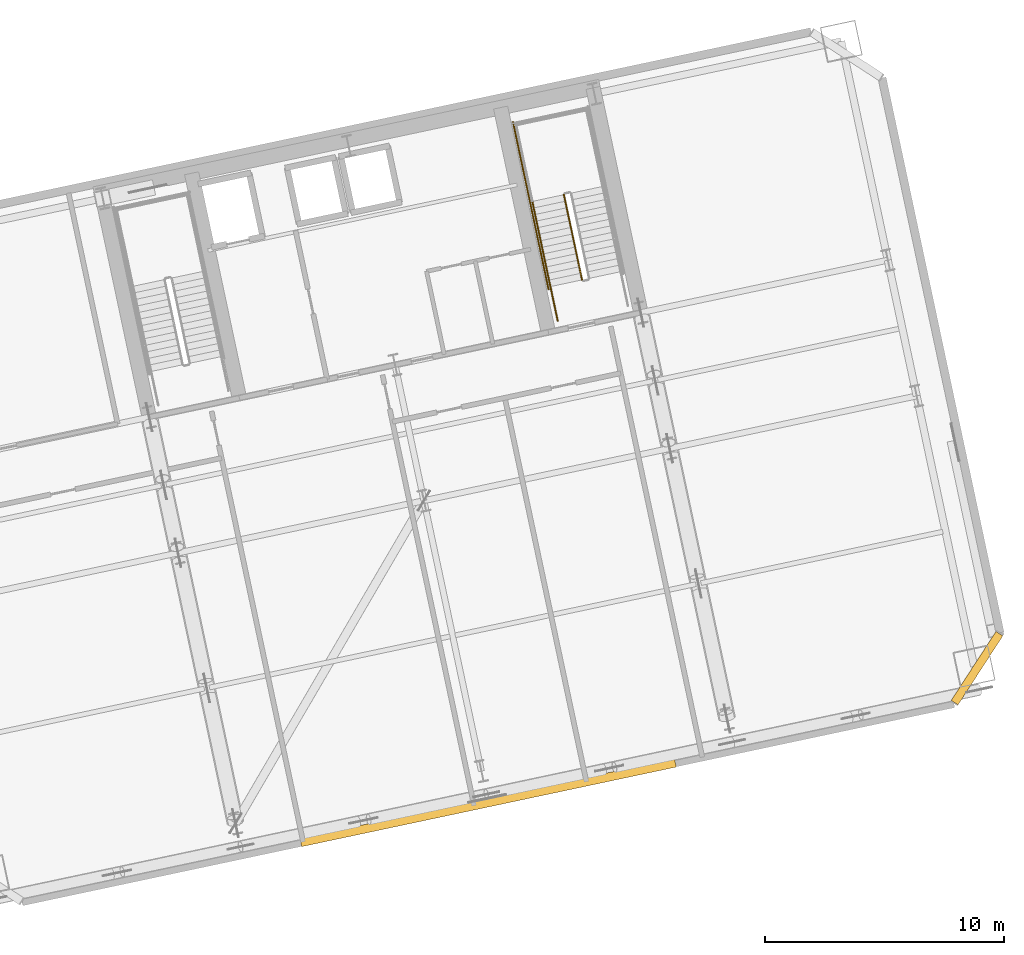
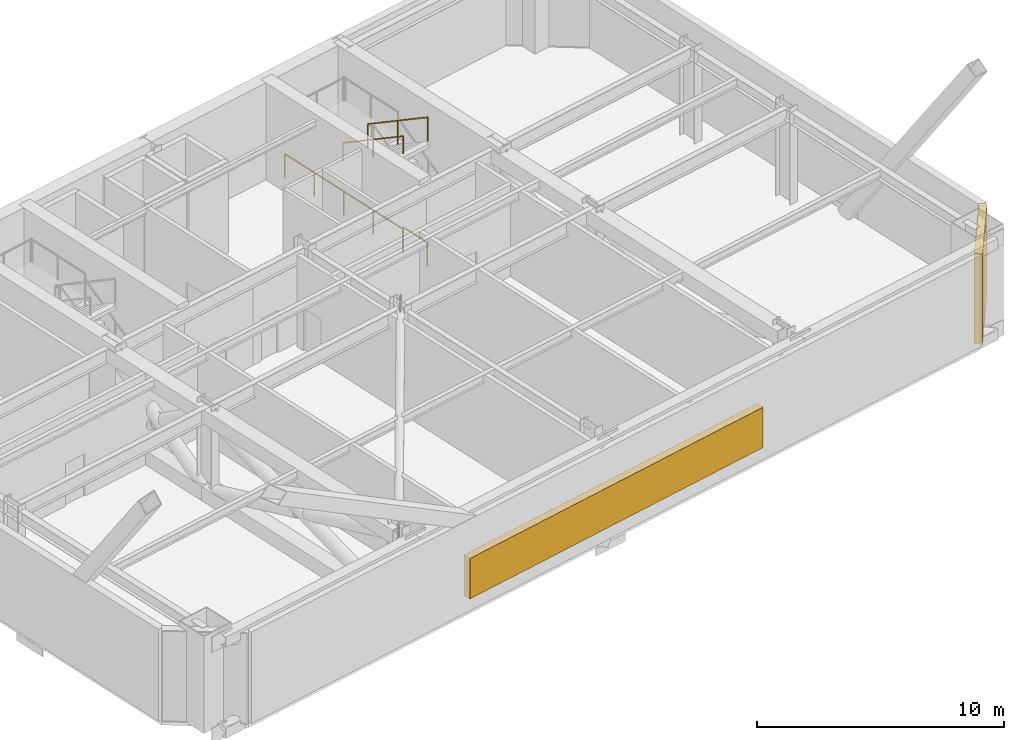
# One storey, part 16 of 17: 4 railings, 2 shading devices.
"""IFC4 building model written with IfcOpenShell, lengths in metres."""

from ifc_helpers import new_model, si_unit, direction, frame, origin, origin_2d, place, context, subcontext, project, spatial, rectangle, extrude, material, layer, layer_set, type_object, element, save


model = new_model("IFC4")

# Units and contexts
model_context = context("Model", 3, precision=1e-05, world=origin(), true_north=direction((0.0, 1.0)))
body_context = subcontext(model_context, "Body", "Model", "MODEL_VIEW")
ifc_project = project(units=[si_unit("LENGTHUNIT", "METRE"), si_unit("AREAUNIT", "SQUARE_METRE"), si_unit("VOLUMEUNIT", "CUBIC_METRE"), si_unit("PLANEANGLEUNIT", "RADIAN"), si_unit("MASSUNIT", "GRAM", prefix="KILO")], contexts=[model_context])

# Site, building, storey
site_placement = place(None, origin())
site = spatial("IfcSite", under=ifc_project, at=site_placement, CompositionType="ELEMENT")
building_placement = place(site_placement, origin())
building = spatial("IfcBuilding", under=site, at=building_placement, Name="Haevon Station Towers", CompositionType="ELEMENT")
storey_placement = place(building_placement, frame((0.0, 0.0, 81.89990234375)))
storey = spatial("IfcBuildingStorey", under=building, at=storey_placement, Name="L21", CompositionType="ELEMENT", Elevation=81.89990234375)

# Railings
ifc_material_1 = material(Name="Steel S355", Category="steel")
railing_type_1 = type_object("IfcRailingType", Name="GRD-STR1200", PredefinedType="GUARDRAIL", material=ifc_material_1)
railing_1_placement = place(storey_placement, frame((116.078369140625, 46.73779296875, 2.571533203125)))
element("IfcRailing", 1, at=railing_1_placement, inside=storey, type_object=railing_type_1, Name="L21 ST4 Stair Guard 6", PredefinedType="GUARDRAIL", context=body_context, shape_type="SweptSolid", body=[
    extrude(rectangle(XDim=0.048095703125, YDim=0.048095703125, at=origin_2d()), frame((0.0, 0.0, 1.17578125), z_axis=(0.177324344861, -0.834225240467, 0.522134393512), x_axis=(0.978146576304, 0.207916510322, 0.0)), (0.0, 0.0, 1.0), 4.26806640625),
    extrude(rectangle(XDim=0.0419921875, YDim=0.0419921875, at=origin_2d()), origin(), (0.0, 0.0, 1.0), 1.15185546875),
    extrude(rectangle(XDim=0.0419921875, YDim=0.0419921875, at=origin_2d()), frame((0.37841796875, -1.7802734375, 1.1142578125)), (0.0, 0.0, 1.0), 1.15185546875),
    extrude(rectangle(XDim=0.0419921875, YDim=0.0419921875, at=origin_2d()), frame((0.7568359375, -3.560546875, 2.228515625)), (0.0, 0.0, 1.0), 1.15185546875),
])
railing_2_placement = place(storey_placement, frame((115.816162109375, 41.478271484375, 0.0)))
element("IfcRailing", 2, at=railing_2_placement, inside=storey, type_object=railing_type_1, Name="L21 ST4 Stair Guard 9", PredefinedType="GUARDRAIL", context=body_context, shape_type="SweptSolid", body=[
    extrude(rectangle(XDim=0.048095703125, YDim=0.048095703125, at=origin_2d()), frame((0.0, 0.0, 1.17578125), z_axis=(-0.207919161079, 0.978146012851, 0.0), x_axis=(-0.978146012851, -0.207919161079, 0.0)), (0.0, 0.0, 1.0), 1.4501953125),
    extrude(rectangle(XDim=0.0419921875, YDim=0.0419921875, at=origin_2d()), origin(), (0.0, 0.0, 1.0), 1.15185546875),
    extrude(rectangle(XDim=0.0419921875, YDim=0.0419921875, at=origin_2d()), frame((-0.301513671875, 1.41845703125, 0.0)), (0.0, 0.0, 1.0), 1.15185546875),
])
railing_3_placement = place(storey_placement, frame((115.4375, 42.778076171875, 0.0)))
element("IfcRailing", 3, at=railing_3_placement, inside=storey, type_object=railing_type_1, Name="L21 ST4 Stair Guard 11", PredefinedType="GUARDRAIL", context=body_context, shape_type="SweptSolid", body=[
    extrude(rectangle(XDim=0.048095703125, YDim=0.048095703125, at=origin_2d()), frame((0.0, 0.0, 1.17578125), z_axis=(-0.207882442208, 0.978153817261, 0.0), x_axis=(-0.978153817261, -0.207882442208, 0.0)), (0.0, 0.0, 1.0), 7.14990234375),
    extrude(rectangle(XDim=0.0419921875, YDim=0.0419921875, at=origin_2d()), origin(), (0.0, 0.0, 1.0), 1.15185546875),
    extrude(rectangle(XDim=0.0419921875, YDim=0.0419921875, at=origin_2d()), frame((-0.37158203125, 1.74853515625, 0.0)), (0.0, 0.0, 1.0), 1.15185546875),
    extrude(rectangle(XDim=0.0419921875, YDim=0.0419921875, at=origin_2d()), frame((-0.7431640625, 3.496826171875, 0.0)), (0.0, 0.0, 1.0), 1.15185546875),
    extrude(rectangle(XDim=0.0419921875, YDim=0.0419921875, at=origin_2d()), frame((-1.11474609375, 5.2451171875, 0.0)), (0.0, 0.0, 1.0), 1.15185546875),
    extrude(rectangle(XDim=0.0419921875, YDim=0.0419921875, at=origin_2d()), frame((-1.486328125, 6.99365234375, 0.0)), (0.0, 0.0, 1.0), 1.15185546875),
])
railing_type_2 = type_object("IfcRailingType", Name="HND-STR900", PredefinedType="HANDRAIL", material=ifc_material_1)
railing_4_placement = place(storey_placement, frame((114.7578125, 46.45703125, 2.571533203125)))
element("IfcRailing", 4, at=railing_4_placement, inside=storey, type_object=railing_type_2, Name="L21 ST4 Stair Handrail 2", PredefinedType="HANDRAIL", context=body_context, shape_type="SweptSolid", body=[
    extrude(rectangle(XDim=0.048095703125, YDim=0.048095703125, at=origin_2d()), frame((0.0, 0.0, 0.8759765625), z_axis=(0.17733280689, -0.834207846092, 0.522159310096), x_axis=(0.978143676638, 0.20793015138, 0.0)), (0.0, 0.0, 1.0), 4.267822265625),
    extrude(rectangle(XDim=0.0419921875, YDim=0.0419921875, at=origin_2d()), origin(), (0.0, 0.0, 1.0), 0.851806640625),
    extrude(rectangle(XDim=0.0419921875, YDim=0.0419921875, at=origin_2d()), frame((0.37841796875, -1.7802734375, 1.1142578125)), (0.0, 0.0, 1.0), 0.851806640625),
    extrude(rectangle(XDim=0.0419921875, YDim=0.0419921875, at=origin_2d()), frame((0.7568359375, -3.560302734375, 2.228515625)), (0.0, 0.0, 1.0), 0.851806640625),
])

# Shading devices
ifc_material_2 = material(Name="Anodised aluminium 6063-T6", Category="aluminium")
ifc_layer_1 = layer(ifc_material_2, 0.1201171875)
ifc_layer_set_1 = layer_set([ifc_layer_1], Name="Anodised aluminium 6063-T6")
shading_device_type_1 = type_object("IfcShadingDeviceType", Name="SHD-REF-LOUVRE", PredefinedType="USERDEFINED", material=ifc_layer_set_1)
shading_device_1_placement = place(storey_placement, frame((112.910888671875, 21.334228515625, 0.60009765625), z_axis=(0.0, 0.0, 1.0), x_axis=(0.978147600734, 0.207911690818, 0.0)))
element("IfcShadingDevice", 5, at=shading_device_1_placement, inside=storey, type_object=shading_device_type_1, Name="Tower 2 L21 Refuge Plant Weather Louvre", ObjectType="LOUVRE", PredefinedType="USERDEFINED", context=body_context, shape_type="SweptSolid", body=[
    extrude(rectangle(XDim=16.0, YDim=0.360107421875, at=origin_2d()), origin(), (0.0, 0.0, 1.0), 2.0),
])
ifc_layer_2 = layer(ifc_material_2, 0.139892578125)
ifc_layer_set_2 = layer_set([ifc_layer_2], Name="Anodised aluminium 6063-T6")
shading_device_type_2 = type_object("IfcShadingDeviceType", Name="SHD-WIND-BAFFLE", PredefinedType="SHUTTER", material=ifc_layer_set_2)
shading_device_2_placement = place(storey_placement, frame((133.3388671875, 26.9541015625, 0.05029296875), z_axis=(0.0, 0.0, 1.0), x_axis=(-0.544638910449, -0.838670648839, 0.0)))
element("IfcShadingDevice", 6, at=shading_device_2_placement, inside=storey, type_object=shading_device_type_2, Name="Tower 2 L21 Wind-Corner Aerofoil Baffle SEC", PredefinedType="SHUTTER", context=body_context, shape_type="SweptSolid", body=[
    extrude(rectangle(XDim=3.435546875, YDim=0.340087890625, at=origin_2d()), origin(), (0.0, 0.0, 1.0), 4.429931640625),
])

save(model, "model.ifc")
